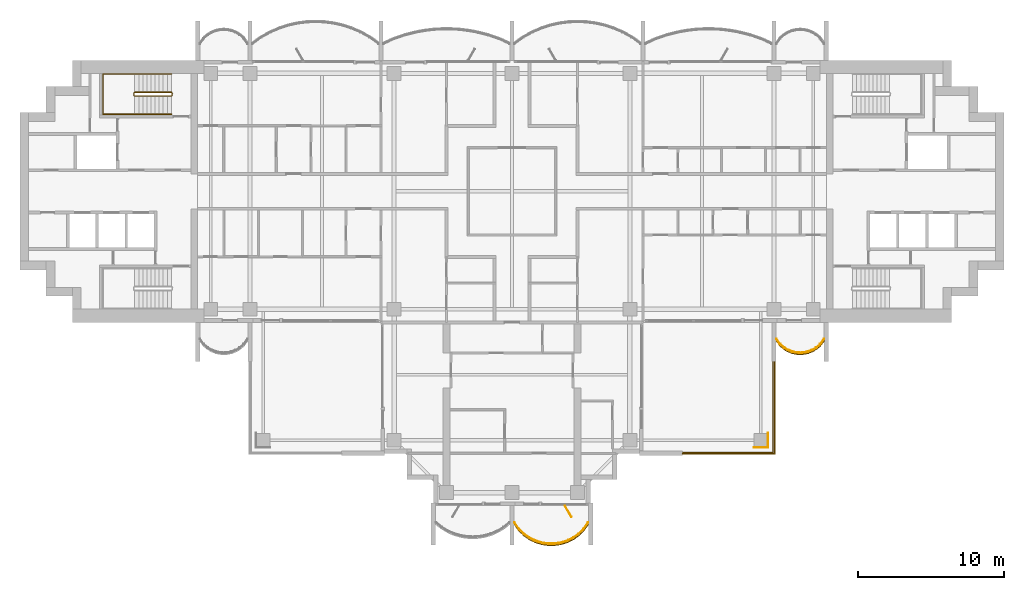
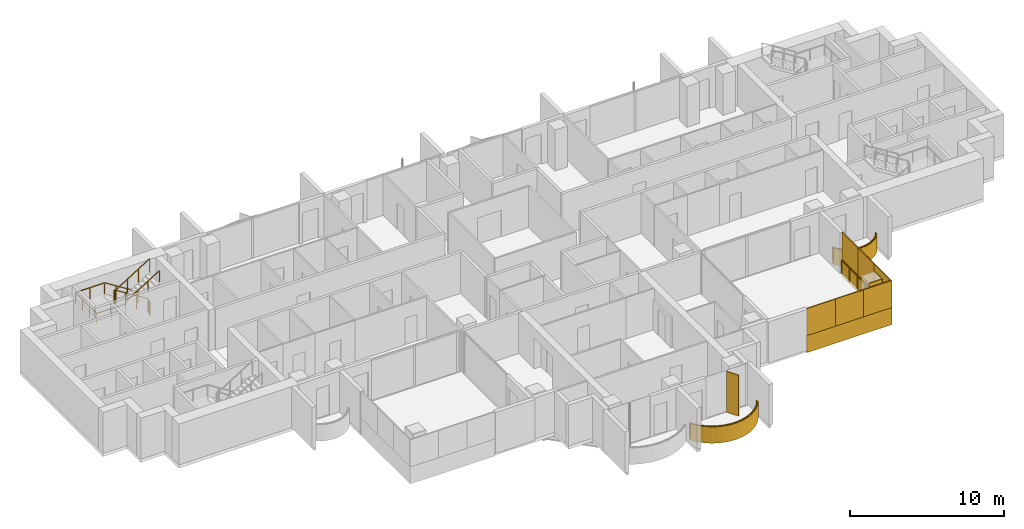
# One storey, part 15 of 17: 11 coverings, 5 railings, 1 shading device.
"""IFC4 building model written with IfcOpenShell, lengths in metres."""

import ifcopenshell
import ifcopenshell.guid

model = None  # the IFC model being written
_history = None  # IfcOwnerHistory: only IFC2X3 demands one
_inside = {}  # id of a spatial element -> (the spatial element, [elements in it])
_under = {}  # id of a project, library or spatial element -> (it, [spatial elements below it])
_declared = {}  # id of a project -> (the project, [libraries it declares])
_typed = {}  # id of a type object -> (the type object, [elements of that type])
_made_of = {}  # id of a material, layer set ... -> (it, [elements and type objects made of it])


def new_model(schema):
    """Start an empty IFC model of exactly this schema.

    Asked for "IFC4X3", IfcOpenShell would pick the latest addendum, in which some entities
    have other attributes; the version numbers below select the first issue.
    IFC2X3 requires an IfcOwnerHistory on every rooted entity: one is made here for all.
    """
    global model, _history
    if schema == "IFC4X3":
        model = ifcopenshell.file(schema_version=(4, 3, 0, 0))
    else:
        model = ifcopenshell.file(schema=schema)
    _inside.clear()
    _under.clear()
    _declared.clear()
    _typed.clear()
    _made_of.clear()
    _history = None
    if model.schema == "IFC2X3":
        org = make("IfcOrganization", Name="unknown")
        user = make(
            "IfcPersonAndOrganization",
            ThePerson=make("IfcPerson", FamilyName="unknown"),
            TheOrganization=org,
        )
        app = make(
            "IfcApplication",
            ApplicationDeveloper=org,
            Version="unknown",
            ApplicationFullName="unknown",
            ApplicationIdentifier="unknown",
        )
        _history = make(
            "IfcOwnerHistory",
            OwningUser=user,
            OwningApplication=app,
            ChangeAction="ADDED",
            CreationDate=0,
        )
    return model


def make(cls, **values):
    """One entity of the class cls with the attributes given. An attribute that is None is left unset."""
    return model.create_entity(
        cls, **{name: value for name, value in values.items() if value is not None}
    )


def rooted(cls, **values):
    """An entity with a GlobalId (a new one), such as an element, a storey or a relation."""
    return make(cls, GlobalId=ifcopenshell.guid.new(), OwnerHistory=_history, **values)


def si_unit(unit_type, name, prefix=None):
    """IfcSIUnit, for example si_unit("LENGTHUNIT", "METRE", prefix="MILLI")."""
    return make("IfcSIUnit", UnitType=unit_type, Prefix=prefix, Name=name)


def assignment(units):
    """IfcUnitAssignment: the units of a project."""
    return None if units is None else make("IfcUnitAssignment", Units=units)


def point(xyz):
    """IfcCartesianPoint."""
    return None if xyz is None else make("IfcCartesianPoint", Coordinates=xyz)


def direction(xyz):
    """IfcDirection."""
    return None if xyz is None else make("IfcDirection", DirectionRatios=xyz)


def frame(location, z_axis=None, x_axis=None):
    """IfcAxis2Placement3D, a coordinate frame: its origin and axes. An axis left out is left unset."""
    return make(
        "IfcAxis2Placement3D",
        Location=point(location),
        Axis=direction(z_axis),
        RefDirection=direction(x_axis),
    )


def frame_2d(location, x_axis=None):
    """IfcAxis2Placement2D, a coordinate frame in the plane: its origin and x axis."""
    return make(
        "IfcAxis2Placement2D", Location=point(location), RefDirection=direction(x_axis)
    )


def origin():
    """The frame at (0, 0, 0) with its axes left unset."""
    return frame((0.0, 0.0, 0.0))


def origin_2d():
    """The frame at (0, 0) in the plane with its x axis left unset."""
    return frame_2d((0.0, 0.0))


def place(relative_to, where):
    """IfcLocalPlacement: puts the frame where relative to a parent placement (None: the world)."""
    return make(
        "IfcLocalPlacement", PlacementRelTo=relative_to, RelativePlacement=where
    )


def context(
    kind, dimensions, precision=None, world=None, true_north=None, identifier=None
):
    """IfcGeometricRepresentationContext, for example the 3D "Model" context."""
    return make(
        "IfcGeometricRepresentationContext",
        ContextIdentifier=identifier,
        ContextType=kind,
        CoordinateSpaceDimension=dimensions,
        Precision=precision,
        WorldCoordinateSystem=world,
        TrueNorth=true_north,
    )


def subcontext(parent, identifier, kind, view, scale=None):
    """IfcGeometricRepresentationSubContext, for example "Body" below "Model"."""
    return make(
        "IfcGeometricRepresentationSubContext",
        ContextIdentifier=identifier,
        ContextType=kind,
        ParentContext=parent,
        TargetScale=scale,
        TargetView=view,
    )


def project(units=None, contexts=None):
    """IfcProject with its units and contexts."""
    return rooted(
        "IfcProject",
        Name="project",
        RepresentationContexts=contexts,
        UnitsInContext=assignment(units),
    )


def spatial(cls, under=None, at=None, **own):
    """A site, building, storey or space (cls), placed at a placement, below another one or the project."""
    s = rooted(cls, ObjectPlacement=at, **own)
    if under is not None:
        _under.setdefault(under.id(), (under, []))[1].append(s)
    return s


def polyline(points):
    """IfcPolyline through the points."""
    return make("IfcPolyline", Points=[point(p) for p in points])


def profile(cls, at=None, kind="AREA", **sizes):
    """A parametric profile (cls). Its sizes go by their IFC names, for example OverallWidth=200.0."""
    return make(cls, ProfileType=kind, Position=at, **sizes)


def rectangle(**sizes):
    """IfcRectangleProfileDef."""
    return profile("IfcRectangleProfileDef", **sizes)


def outline(outer, holes=None, kind="AREA"):
    """IfcArbitraryClosedProfileDef: a profile drawn as a closed curve; with holes, ...WithVoids."""
    if holes is None:
        return make("IfcArbitraryClosedProfileDef", ProfileType=kind, OuterCurve=outer)
    return make(
        "IfcArbitraryProfileDefWithVoids",
        ProfileType=kind,
        OuterCurve=outer,
        InnerCurves=holes,
    )


def extrude(swept, where, along, depth):
    """IfcExtrudedAreaSolid: the profile swept, set in the frame where, extruded along a direction by depth."""
    return make(
        "IfcExtrudedAreaSolid",
        SweptArea=swept,
        Position=where,
        ExtrudedDirection=direction(along),
        Depth=depth,
    )


def shape(context_of_items, identifier, shape_type, items):
    """IfcShapeRepresentation: the items that make up one representation, for example the "Body"."""
    return make(
        "IfcShapeRepresentation",
        ContextOfItems=context_of_items,
        RepresentationIdentifier=identifier,
        RepresentationType=shape_type,
        Items=items,
    )


def material(Name=None, Category=None):
    """IfcMaterial."""
    return make("IfcMaterial", Name=Name, Category=Category)


def layer(
    of_material, thickness, ventilated=None, Name=None, Category=None, Priority=None
):
    """IfcMaterialLayer: one layer of a wall or slab, of a material (None: an air gap)."""
    return make(
        "IfcMaterialLayer",
        Material=of_material,
        LayerThickness=thickness,
        IsVentilated=ventilated,
        Name=Name,
        Category=Category,
        Priority=Priority,
    )


def layer_set(layers, Name=None):
    """IfcMaterialLayerSet."""
    return make("IfcMaterialLayerSet", MaterialLayers=layers, LayerSetName=Name)


def made_of(thing, what):
    """Note that an element or type object is made of a material, layer set ...; save() writes the relation."""
    if what is not None:
        _made_of.setdefault(what.id(), (what, []))[1].append(thing)
    return thing


def type_object(cls, material=None, **own):
    """A type object (cls), such as IfcWallType, which elements share."""
    return made_of(rooted(cls, **own), material)


def element(
    cls,
    number,
    at=None,
    inside=None,
    cuts=None,
    type_object=None,
    material=None,
    context=None,
    identifier="Body",
    shape_type=None,
    held_by="IfcProductDefinitionShape",
    body=None,
    shapes=None,
    **own,
):
    """One element of the class cls, such as IfcWall. Its Tag is "e" and its number.

    at: its placement. inside: the storey or other place that contains it. cuts: it is an
    opening in that element (IfcRelVoidsElement). A single representation is given by context,
    identifier, shape_type and body (its items); several are given by shapes. held_by: the class
    of the entity that holds the representations. save() writes the other relations.
    """
    e = rooted(cls, Tag="e%d" % number, ObjectPlacement=at, **own)
    if body is not None:
        shapes = [shape(context, identifier, shape_type, body)]
    if shapes is not None:
        e.Representation = make(held_by, Representations=shapes)
    if inside is not None:
        _inside.setdefault(inside.id(), (inside, []))[1].append(e)
    if cuts is not None:
        rooted(
            "IfcRelVoidsElement", RelatingBuildingElement=cuts, RelatedOpeningElement=e
        )
    if type_object is not None:
        _typed.setdefault(type_object.id(), (type_object, []))[1].append(e)
    return made_of(e, material)


def aggregate(whole, parts):
    """IfcRelAggregates: a whole, such as a stair, and the parts it consists of."""
    return rooted("IfcRelAggregates", RelatingObject=whole, RelatedObjects=parts)


def save(model, path):
    """Write the relations noted so far, then the file.

    IfcRelAggregates (storeys below a building ...), IfcRelContainedInSpatialStructure (elements
    in a storey), IfcRelDefinesByType, IfcRelAssociatesMaterial and IfcRelDeclares: one each for
    every whole, place, type object, material and project.
    """
    for whole, parts in _under.values():
        aggregate(whole, parts)
    for where, things in _inside.values():
        rooted(
            "IfcRelContainedInSpatialStructure",
            RelatedElements=things,
            RelatingStructure=where,
        )
    for kind, things in _typed.values():
        rooted("IfcRelDefinesByType", RelatedObjects=things, RelatingType=kind)
    for what, things in _made_of.values():
        rooted("IfcRelAssociatesMaterial", RelatedObjects=things, RelatingMaterial=what)
    for by, libraries in _declared.values():
        rooted("IfcRelDeclares", RelatingContext=by, RelatedDefinitions=libraries)
    model.write(path)


model = new_model("IFC4")

# Units and contexts
model_context = context("Model", 3, precision=1e-05, world=origin(), true_north=direction((0.0, 1.0)))
body_context = subcontext(model_context, "Body", "Model", "MODEL_VIEW")
ifc_project = project(units=[si_unit("LENGTHUNIT", "METRE"), si_unit("AREAUNIT", "SQUARE_METRE"), si_unit("VOLUMEUNIT", "CUBIC_METRE"), si_unit("PLANEANGLEUNIT", "RADIAN"), si_unit("MASSUNIT", "GRAM", prefix="KILO")], contexts=[model_context])

# Site, building, storey
site_placement = place(None, origin())
site = spatial("IfcSite", under=ifc_project, at=site_placement, CompositionType="ELEMENT")
building_placement = place(site_placement, origin())
building = spatial("IfcBuilding", under=site, at=building_placement, Name="Perihelion Cross Residences", CompositionType="ELEMENT")
storey_placement = place(building_placement, frame((0.0, 0.0, 194.60009765625)))
storey = spatial("IfcBuildingStorey", under=building, at=storey_placement, Name="L48", CompositionType="ELEMENT", Elevation=194.60009765625)

# Coverings
ifc_material_1 = material(Name="Bronze anodised aluminium", Category="aluminium")
ifc_layer_1 = layer(ifc_material_1, 0.070068359375)
ifc_layer_set_1 = layer_set([ifc_layer_1], Name="Balcony fascia 1300")
covering_type_1 = type_object("IfcCoveringType", Name="Balcony fascia 1300", PredefinedType="CLADDING", material=ifc_layer_set_1)
covering_1_placement = place(storey_placement, frame((0.0, 0.0, -0.2001953125)))
element("IfcCovering", 1, at=covering_1_placement, inside=storey, type_object=covering_type_1, Name="Fascia BF1 L48 south tip south bay 2", PredefinedType="CLADDING", context=body_context, shape_type="SweptSolid", body=[
    extrude(outline(polyline([(0.43701171875, -23.322509765625), (0.78515625, -23.66064453125), (1.13330078125, -23.90869140625), (1.4814453125, -24.091064453125), (1.82958984375, -24.22021484375), (2.177734375, -24.30322265625), (2.52587890625, -24.343994140625), (2.8740234375, -24.343994140625), (3.22216796875, -24.30322265625), (3.5703125, -24.22021484375), (3.91845703125, -24.091064453125), (4.2666015625, -23.90869140625), (4.61474609375, -23.66064453125), (4.963134765625, -23.322509765625), (5.25, -22.92041015625), (5.25, -22.800048828125), (4.909912109375, -23.27685546875), (4.570068359375, -23.60693359375), (4.22998046875, -23.84912109375), (3.889892578125, -24.027099609375), (3.550048828125, -24.1533203125), (3.2099609375, -24.234375), (2.8701171875, -24.274169921875), (2.530029296875, -24.274169921875), (2.18994140625, -24.234375), (1.85009765625, -24.1533203125), (1.510009765625, -24.027099609375), (1.169921875, -23.84912109375), (0.830078125, -23.60693359375), (0.489990234375, -23.27685546875), (0.14990234375, -22.800048828125), (0.14990234375, -22.92041015625), (0.43701171875, -23.322509765625)])), origin(), (0.0, 0.0, 1.0), 1.300048828125),
])
covering_2_placement = place(storey_placement, frame((0.0, 0.0, -0.2001953125)))
element("IfcCovering", 2, at=covering_2_placement, inside=storey, type_object=covering_type_1, Name="Fascia BF1 L48 east side south bay 2", PredefinedType="CLADDING", context=body_context, shape_type="SweptSolid", body=[
    extrude(outline(polyline([(18.373779296875, -10.616455078125), (18.6591796875, -10.86328125), (18.9443359375, -11.031494140625), (19.229736328125, -11.142578125), (19.514892578125, -11.206298828125), (19.800048828125, -11.22705078125), (20.085205078125, -11.206298828125), (20.370361328125, -11.142578125), (20.655517578125, -11.031494140625), (20.94091796875, -10.86328125), (21.226318359375, -10.616455078125), (21.449951171875, -10.31689453125), (21.449951171875, -10.199951171875), (21.175048828125, -10.568603515625), (20.89990234375, -10.806396484375), (20.625, -10.96875), (20.35009765625, -11.07568359375), (20.074951171875, -11.136962890625), (19.800048828125, -11.156982421875), (19.52490234375, -11.136962890625), (19.25, -11.07568359375), (18.97509765625, -10.96875), (18.699951171875, -10.806396484375), (18.425048828125, -10.568603515625), (18.14990234375, -10.199951171875), (18.14990234375, -10.31689453125), (18.373779296875, -10.616455078125)])), origin(), (0.0, 0.0, 1.0), 1.300048828125),
])

# Railings
ifc_material_2 = material(Name="Bronze anodised aluminium", Category="aluminium")
railing_type_1 = type_object("IfcRailingType", Name="Balcony guard 1100", PredefinedType="GUARDRAIL", material=ifc_material_2)
railing_1_placement = place(storey_placement, frame((0.175048828125, -22.739990234375, 0.0)))
element("IfcRailing", 3, at=railing_1_placement, inside=storey, type_object=railing_type_1, Name="Guard GU1 L48 south tip south bay 2 balcony", PredefinedType="GUARDRAIL", context=body_context, shape_type="SweptSolid", body=[
    extrude(rectangle(XDim=0.048095703125, YDim=0.048095703125, at=origin_2d()), frame((0.0, 0.0, 1.076171875), z_axis=(0.551145731138, -0.834409002258, 0.0), x_axis=(0.834409002258, 0.551145731138, 0.0)), (0.0, 0.0, 1.0), 0.571533203125),
    extrude(rectangle(XDim=0.048095703125, YDim=0.048095703125, at=origin_2d()), frame((0.31494140625, -0.476806640625, 1.076171875), z_axis=(0.717588263781, -0.696467575472, 0.0), x_axis=(0.696467575472, 0.717588263781, 0.0)), (0.0, 0.0, 1.0), 0.473876953125),
    extrude(rectangle(XDim=0.048095703125, YDim=0.048095703125, at=origin_2d()), frame((0.655029296875, -0.806884765625, 1.076171875), z_axis=(0.814365457194, -0.580352394782, 0.0), x_axis=(0.580352394782, 0.814365457194, 0.0)), (0.0, 0.0, 1.0), 0.417236328125),
    extrude(rectangle(XDim=0.048095703125, YDim=0.048095703125, at=origin_2d()), frame((0.994873046875, -1.049072265625, 1.076171875), z_axis=(0.885744400902, -0.464173304134, 0.0), x_axis=(0.464173304134, 0.885744400902, 0.0)), (0.0, 0.0, 1.0), 0.384033203125),
    extrude(rectangle(XDim=0.048095703125, YDim=0.048095703125, at=origin_2d()), frame((1.3349609375, -1.227294921875, 1.076171875), z_axis=(0.937732519052, -0.347358205191, 0.0), x_axis=(0.347358205191, 0.937732519052, 0.0)), (0.0, 0.0, 1.0), 0.362548828125),
    extrude(rectangle(XDim=0.048095703125, YDim=0.048095703125, at=origin_2d()), frame((1.675048828125, -1.353271484375, 1.076171875), z_axis=(0.972716168284, -0.231998396458, 0.0), x_axis=(0.231998396458, 0.972716168284, 0.0)), (0.0, 0.0, 1.0), 0.349365234375),
    extrude(rectangle(XDim=0.048095703125, YDim=0.048095703125, at=origin_2d()), frame((2.014892578125, -1.434326171875, 1.076171875), z_axis=(0.993223414934, -0.116220686744, 0.0), x_axis=(0.116220686744, 0.993223414934, 0.0)), (0.0, 0.0, 1.0), 0.342529296875),
    extrude(rectangle(XDim=0.048095703125, YDim=0.048095703125, at=origin_2d()), frame((2.35498046875, -1.47412109375, 1.076171875), z_axis=(1.0, 0.0, 0.0), x_axis=(0.0, 1.0, 0.0)), (0.0, 0.0, 1.0), 0.340087890625),
    extrude(rectangle(XDim=0.048095703125, YDim=0.048095703125, at=origin_2d()), frame((2.695068359375, -1.47412109375, 1.076171875), z_axis=(0.993213773886, 0.116303049672, 0.0), x_axis=(-0.116303049672, 0.993213773886, 0.0)), (0.0, 0.0, 1.0), 0.34228515625),
    extrude(rectangle(XDim=0.048095703125, YDim=0.048095703125, at=origin_2d()), frame((3.034912109375, -1.434326171875, 1.076171875), z_axis=(0.972753741142, 0.231840805498, 0.0), x_axis=(-0.231840805498, 0.972753741142, 0.0)), (0.0, 0.0, 1.0), 0.349609375),
    extrude(rectangle(XDim=0.048095703125, YDim=0.048095703125, at=origin_2d()), frame((3.375, -1.353271484375, 1.076171875), z_axis=(0.937651218339, 0.347577606798, 0.0), x_axis=(-0.347577606798, 0.937651218339, 0.0)), (0.0, 0.0, 1.0), 0.362548828125),
    extrude(rectangle(XDim=0.048095703125, YDim=0.048095703125, at=origin_2d()), frame((3.71484375, -1.227294921875, 1.076171875), z_axis=(0.885744400902, 0.464173304134, 0.0), x_axis=(-0.464173304134, 0.885744400902, 0.0)), (0.0, 0.0, 1.0), 0.384033203125),
    extrude(rectangle(XDim=0.048095703125, YDim=0.048095703125, at=origin_2d()), frame((4.054931640625, -1.049072265625, 1.076171875), z_axis=(0.814562360662, 0.580075995532, 0.0), x_axis=(-0.580075995532, 0.814562360662, 0.0)), (0.0, 0.0, 1.0), 0.41748046875),
    extrude(rectangle(XDim=0.048095703125, YDim=0.048095703125, at=origin_2d()), frame((4.39501953125, -0.806884765625, 1.076171875), z_axis=(0.71733824833, 0.696725080274, 0.0), x_axis=(-0.696725080274, 0.71733824833, 0.0)), (0.0, 0.0, 1.0), 0.473876953125),
    extrude(rectangle(XDim=0.048095703125, YDim=0.048095703125, at=origin_2d()), frame((4.73486328125, -0.476806640625, 1.076171875), z_axis=(0.55144309028, 0.834212513801, 0.0), x_axis=(-0.834212513801, 0.55144309028, 0.0)), (0.0, 0.0, 1.0), 0.571533203125),
    extrude(rectangle(XDim=0.0419921875, YDim=0.0419921875, at=origin_2d()), origin(), (0.0, 0.0, 1.0), 1.052001953125),
    extrude(rectangle(XDim=0.0419921875, YDim=0.0419921875, at=origin_2d()), frame((0.31494140625, -0.476806640625, 0.0)), (0.0, 0.0, 1.0), 1.052001953125),
    extrude(rectangle(XDim=0.0419921875, YDim=0.0419921875, at=origin_2d()), frame((0.655029296875, -0.806884765625, 0.0)), (0.0, 0.0, 1.0), 1.052001953125),
    extrude(rectangle(XDim=0.0419921875, YDim=0.0419921875, at=origin_2d()), frame((0.994873046875, -1.049072265625, 0.0)), (0.0, 0.0, 1.0), 1.052001953125),
    extrude(rectangle(XDim=0.0419921875, YDim=0.0419921875, at=origin_2d()), frame((1.3349609375, -1.227294921875, 0.0)), (0.0, 0.0, 1.0), 1.052001953125),
    extrude(rectangle(XDim=0.0419921875, YDim=0.0419921875, at=origin_2d()), frame((1.675048828125, -1.353271484375, 0.0)), (0.0, 0.0, 1.0), 1.052001953125),
    extrude(rectangle(XDim=0.0419921875, YDim=0.0419921875, at=origin_2d()), frame((2.014892578125, -1.434326171875, 0.0)), (0.0, 0.0, 1.0), 1.052001953125),
    extrude(rectangle(XDim=0.0419921875, YDim=0.0419921875, at=origin_2d()), frame((2.35498046875, -1.47412109375, 0.0)), (0.0, 0.0, 1.0), 1.052001953125),
    extrude(rectangle(XDim=0.0419921875, YDim=0.0419921875, at=origin_2d()), frame((2.695068359375, -1.47412109375, 0.0)), (0.0, 0.0, 1.0), 1.052001953125),
    extrude(rectangle(XDim=0.0419921875, YDim=0.0419921875, at=origin_2d()), frame((3.034912109375, -1.434326171875, 0.0)), (0.0, 0.0, 1.0), 1.052001953125),
    extrude(rectangle(XDim=0.0419921875, YDim=0.0419921875, at=origin_2d()), frame((3.375, -1.353271484375, 0.0)), (0.0, 0.0, 1.0), 1.052001953125),
    extrude(rectangle(XDim=0.0419921875, YDim=0.0419921875, at=origin_2d()), frame((3.71484375, -1.227294921875, 0.0)), (0.0, 0.0, 1.0), 1.052001953125),
    extrude(rectangle(XDim=0.0419921875, YDim=0.0419921875, at=origin_2d()), frame((4.054931640625, -1.049072265625, 0.0)), (0.0, 0.0, 1.0), 1.052001953125),
    extrude(rectangle(XDim=0.0419921875, YDim=0.0419921875, at=origin_2d()), frame((4.39501953125, -0.806884765625, 0.0)), (0.0, 0.0, 1.0), 1.052001953125),
    extrude(rectangle(XDim=0.0419921875, YDim=0.0419921875, at=origin_2d()), frame((4.73486328125, -0.476806640625, 0.0)), (0.0, 0.0, 1.0), 1.052001953125),
    extrude(rectangle(XDim=0.0419921875, YDim=0.0419921875, at=origin_2d()), frame((5.050048828125, 0.0, 0.0)), (0.0, 0.0, 1.0), 1.052001953125),
])
railing_2_placement = place(storey_placement, frame((18.175048828125, -10.139892578125, 0.0)))
element("IfcRailing", 4, at=railing_2_placement, inside=storey, type_object=railing_type_1, Name="Guard GU1 L48 east side south bay 2 balcony", PredefinedType="GUARDRAIL", context=body_context, shape_type="SweptSolid", body=[
    extrude(rectangle(XDim=0.048095703125, YDim=0.048095703125, at=origin_2d()), frame((0.0, 0.0, 1.076171875), z_axis=(0.561260132269, -0.827639452857, 0.0), x_axis=(0.827639452857, 0.561260132269, 0.0)), (0.0, 0.0, 1.0), 0.4453125),
    extrude(rectangle(XDim=0.048095703125, YDim=0.048095703125, at=origin_2d()), frame((0.25, -0.36865234375, 1.076171875), z_axis=(0.756309278473, -0.654214242658, 0.0), x_axis=(0.654214242658, 0.756309278473, 0.0)), (0.0, 0.0, 1.0), 0.363525390625),
    extrude(rectangle(XDim=0.048095703125, YDim=0.048095703125, at=origin_2d()), frame((0.52490234375, -0.6064453125, 1.076171875), z_axis=(0.861245845072, -0.508188542123, 0.0), x_axis=(0.508188542123, 0.861245845072, 0.0)), (0.0, 0.0, 1.0), 0.319580078125),
    extrude(rectangle(XDim=0.048095703125, YDim=0.048095703125, at=origin_2d()), frame((0.800048828125, -0.768798828125, 1.076171875), z_axis=(0.931973602183, -0.362526143656, 0.0), x_axis=(0.362526143656, 0.931973602183, 0.0)), (0.0, 0.0, 1.0), 0.294921875),
    extrude(rectangle(XDim=0.048095703125, YDim=0.048095703125, at=origin_2d()), frame((1.074951171875, -0.875732421875, 1.076171875), z_axis=(0.976044077717, -0.217572880557, 0.0), x_axis=(0.217572880557, 0.976044077717, 0.0)), (0.0, 0.0, 1.0), 0.28173828125),
    extrude(rectangle(XDim=0.048095703125, YDim=0.048095703125, at=origin_2d()), frame((1.349853515625, -0.93701171875, 1.076171875), z_axis=(0.997363488337, -0.072567707226, 0.0), x_axis=(0.072567707226, 0.997363488337, 0.0)), (0.0, 0.0, 1.0), 0.27587890625),
    extrude(rectangle(XDim=0.048095703125, YDim=0.048095703125, at=origin_2d()), frame((1.625, -0.95703125, 1.076171875), z_axis=(0.997358821833, 0.072631814734, 0.0), x_axis=(-0.072631814734, 0.997358821833, 0.0)), (0.0, 0.0, 1.0), 0.275634765625),
    extrude(rectangle(XDim=0.048095703125, YDim=0.048095703125, at=origin_2d()), frame((1.89990234375, -0.93701171875, 1.076171875), z_axis=(0.976085059389, 0.21738895289, 0.0), x_axis=(-0.21738895289, 0.976085059389, 0.0)), (0.0, 0.0, 1.0), 0.281982421875),
    extrude(rectangle(XDim=0.048095703125, YDim=0.048095703125, at=origin_2d()), frame((2.175048828125, -0.875732421875, 1.076171875), z_axis=(0.931973602183, 0.362526143656, 0.0), x_axis=(-0.362526143656, 0.931973602183, 0.0)), (0.0, 0.0, 1.0), 0.294921875),
    extrude(rectangle(XDim=0.048095703125, YDim=0.048095703125, at=origin_2d()), frame((2.449951171875, -0.768798828125, 1.076171875), z_axis=(0.861048292884, 0.508523192511, 0.0), x_axis=(-0.508523192511, 0.861048292884, 0.0)), (0.0, 0.0, 1.0), 0.3193359375),
    extrude(rectangle(XDim=0.048095703125, YDim=0.048095703125, at=origin_2d()), frame((2.724853515625, -0.6064453125, 1.076171875), z_axis=(0.756596535164, 0.653882009982, 0.0), x_axis=(-0.653882009982, 0.756596535164, 0.0)), (0.0, 0.0, 1.0), 0.36376953125),
    extrude(rectangle(XDim=0.048095703125, YDim=0.048095703125, at=origin_2d()), frame((3.0, -0.36865234375, 1.076171875), z_axis=(0.561260132269, 0.827639452857, 0.0), x_axis=(-0.827639452857, 0.561260132269, 0.0)), (0.0, 0.0, 1.0), 0.4453125),
    extrude(rectangle(XDim=0.0419921875, YDim=0.0419921875, at=origin_2d()), origin(), (0.0, 0.0, 1.0), 1.052001953125),
    extrude(rectangle(XDim=0.0419921875, YDim=0.0419921875, at=origin_2d()), frame((0.25, -0.36865234375, 0.0)), (0.0, 0.0, 1.0), 1.052001953125),
    extrude(rectangle(XDim=0.0419921875, YDim=0.0419921875, at=origin_2d()), frame((0.52490234375, -0.6064453125, 0.0)), (0.0, 0.0, 1.0), 1.052001953125),
    extrude(rectangle(XDim=0.0419921875, YDim=0.0419921875, at=origin_2d()), frame((0.800048828125, -0.768798828125, 0.0)), (0.0, 0.0, 1.0), 1.052001953125),
    extrude(rectangle(XDim=0.0419921875, YDim=0.0419921875, at=origin_2d()), frame((1.074951171875, -0.875732421875, 0.0)), (0.0, 0.0, 1.0), 1.052001953125),
    extrude(rectangle(XDim=0.0419921875, YDim=0.0419921875, at=origin_2d()), frame((1.349853515625, -0.93701171875, 0.0)), (0.0, 0.0, 1.0), 1.052001953125),
    extrude(rectangle(XDim=0.0419921875, YDim=0.0419921875, at=origin_2d()), frame((1.625, -0.95703125, 0.0)), (0.0, 0.0, 1.0), 1.052001953125),
    extrude(rectangle(XDim=0.0419921875, YDim=0.0419921875, at=origin_2d()), frame((1.89990234375, -0.93701171875, 0.0)), (0.0, 0.0, 1.0), 1.052001953125),
    extrude(rectangle(XDim=0.0419921875, YDim=0.0419921875, at=origin_2d()), frame((2.175048828125, -0.875732421875, 0.0)), (0.0, 0.0, 1.0), 1.052001953125),
    extrude(rectangle(XDim=0.0419921875, YDim=0.0419921875, at=origin_2d()), frame((2.449951171875, -0.768798828125, 0.0)), (0.0, 0.0, 1.0), 1.052001953125),
    extrude(rectangle(XDim=0.0419921875, YDim=0.0419921875, at=origin_2d()), frame((2.724853515625, -0.6064453125, 0.0)), (0.0, 0.0, 1.0), 1.052001953125),
    extrude(rectangle(XDim=0.0419921875, YDim=0.0419921875, at=origin_2d()), frame((3.0, -0.36865234375, 0.0)), (0.0, 0.0, 1.0), 1.052001953125),
    extrude(rectangle(XDim=0.0419921875, YDim=0.0419921875, at=origin_2d()), frame((3.25, 0.0, 0.0)), (0.0, 0.0, 1.0), 1.052001953125),
])
railing_3_placement = place(storey_placement, frame((17.93994140625, -11.739990234375, 0.0)))
element("IfcRailing", 5, at=railing_3_placement, inside=storey, type_object=railing_type_1, Name="Guard GU1 L48 pocket south-east 1", PredefinedType="GUARDRAIL", context=body_context, shape_type="SweptSolid", body=[
    extrude(rectangle(XDim=0.048095703125, YDim=0.048095703125, at=origin_2d()), frame((0.0, 0.0, 1.076171875), z_axis=(0.0, -1.0, 0.0), x_axis=(1.0, 0.0, 0.0)), (0.0, 0.0, 1.0), 6.199951171875),
    extrude(rectangle(XDim=0.048095703125, YDim=0.048095703125, at=origin_2d()), frame((0.0, -6.199951171875, 1.076171875), z_axis=(-1.0, 0.0, 0.0), x_axis=(0.0, -1.0, 0.0)), (0.0, 0.0, 1.0), 6.199951171875),
    extrude(rectangle(XDim=0.0419921875, YDim=0.0419921875, at=origin_2d()), origin(), (0.0, 0.0, 1.0), 1.052001953125),
    extrude(rectangle(XDim=0.0419921875, YDim=0.0419921875, at=origin_2d()), frame((0.0, -1.033203125, 0.0)), (0.0, 0.0, 1.0), 1.052001953125),
    extrude(rectangle(XDim=0.0419921875, YDim=0.0419921875, at=origin_2d()), frame((0.0, -2.066650390625, 0.0)), (0.0, 0.0, 1.0), 1.052001953125),
    extrude(rectangle(XDim=0.0419921875, YDim=0.0419921875, at=origin_2d()), frame((0.0, -3.10009765625, 0.0)), (0.0, 0.0, 1.0), 1.052001953125),
    extrude(rectangle(XDim=0.0419921875, YDim=0.0419921875, at=origin_2d()), frame((0.0, -4.13330078125, 0.0)), (0.0, 0.0, 1.0), 1.052001953125),
    extrude(rectangle(XDim=0.0419921875, YDim=0.0419921875, at=origin_2d()), frame((0.0, -5.16650390625, 0.0)), (0.0, 0.0, 1.0), 1.052001953125),
    extrude(rectangle(XDim=0.0419921875, YDim=0.0419921875, at=origin_2d()), frame((0.0, -6.199951171875, 0.0)), (0.0, 0.0, 1.0), 1.052001953125),
    extrude(rectangle(XDim=0.0419921875, YDim=0.0419921875, at=origin_2d()), frame((-1.033203125, -6.199951171875, 0.0)), (0.0, 0.0, 1.0), 1.052001953125),
    extrude(rectangle(XDim=0.0419921875, YDim=0.0419921875, at=origin_2d()), frame((-2.066650390625, -6.199951171875, 0.0)), (0.0, 0.0, 1.0), 1.052001953125),
    extrude(rectangle(XDim=0.0419921875, YDim=0.0419921875, at=origin_2d()), frame((-3.10009765625, -6.199951171875, 0.0)), (0.0, 0.0, 1.0), 1.052001953125),
    extrude(rectangle(XDim=0.0419921875, YDim=0.0419921875, at=origin_2d()), frame((-4.13330078125, -6.199951171875, 0.0)), (0.0, 0.0, 1.0), 1.052001953125),
    extrude(rectangle(XDim=0.0419921875, YDim=0.0419921875, at=origin_2d()), frame((-5.16650390625, -6.199951171875, 0.0)), (0.0, 0.0, 1.0), 1.052001953125),
    extrude(rectangle(XDim=0.0419921875, YDim=0.0419921875, at=origin_2d()), frame((-6.199951171875, -6.199951171875, 0.0)), (0.0, 0.0, 1.0), 1.052001953125),
])

# Coverings
ifc_material_3 = material(Name="Bronze anodised aluminium", Category="aluminium")
ifc_layer_2 = layer(ifc_material_3, 0.0400390625)
ifc_layer_set_2 = layer_set([ifc_layer_2], Name="Bronze column casing 40")
covering_type_2 = type_object("IfcCoveringType", Name="Bronze column casing 40", PredefinedType="CLADDING", material=ifc_layer_set_2)
covering_3_placement = place(storey_placement, frame((17.594970703125, -17.10009765625, -0.25), z_axis=(0.0, 0.0, 1.0), x_axis=(1.0, 0.0, 0.0)))
element("IfcCovering", 6, at=covering_3_placement, inside=storey, type_object=covering_type_2, Name="Cladding CC1 L48 casing east-west no. 2", PredefinedType="CLADDING", context=body_context, shape_type="SweptSolid", body=[
    extrude(rectangle(XDim=0.0400390625, YDim=1.030029296875, at=origin_2d()), origin(), (0.0, 0.0, 1.0), 3.5),
])
covering_4_placement = place(storey_placement, frame((17.10009765625, -17.594970703125, -0.25), z_axis=(0.0, 0.0, 1.0), x_axis=(1.0, 0.0, 0.0)))
element("IfcCovering", 7, at=covering_4_placement, inside=storey, type_object=covering_type_2, Name="Cladding CC1 L48 casing north-south no. 2", PredefinedType="CLADDING", context=body_context, shape_type="SweptSolid", body=[
    extrude(rectangle(XDim=0.949951171875, YDim=0.0400390625, at=origin_2d()), origin(), (0.0, 0.0, 1.0), 3.5),
])

# Shading device
ifc_material_4 = material(Name="Bronze anodised aluminium", Category="aluminium")
ifc_layer_3 = layer(ifc_material_4, 0.050048828125)
ifc_layer_set_3 = layer_set([ifc_layer_3], Name="Bronze fin 900")
shading_device_type = type_object("IfcShadingDeviceType", Name="Bronze fin 900", PredefinedType="USERDEFINED", material=ifc_layer_set_3)
shading_device_placement = place(storey_placement, frame((3.862548828125, -21.98974609375, 0.0), z_axis=(0.0, 0.0, 1.0), x_axis=(0.5, -0.866025403784, 0.0)))
element("IfcShadingDevice", 8, at=shading_device_placement, inside=storey, type_object=shading_device_type, Name="Fin FN1 L48 south tip south bay 2", ObjectType="FIN", PredefinedType="USERDEFINED", context=body_context, shape_type="SweptSolid", body=[
    extrude(rectangle(XDim=0.89990234375, YDim=0.050048828125, at=origin_2d()), origin(), (0.0, 0.0, 1.0), 3.25),
])

# Coverings
ifc_material_5 = material(Name="Bronze anodised aluminium", Category="aluminium")
ifc_layer_4 = layer(ifc_material_5, 0.070068359375)
ifc_layer_set_4 = layer_set([ifc_layer_4], Name="Pocket fascia 1350")
covering_type_3 = type_object("IfcCoveringType", Name="Pocket fascia 1350", PredefinedType="CLADDING", material=ifc_layer_set_4)
covering_5_placement = place(storey_placement, frame((0.0, 0.0, -0.25)))
element("IfcCovering", 9, at=covering_5_placement, inside=storey, type_object=covering_type_3, Name="Fascia BF2 L48 pocket south-east 3", PredefinedType="CLADDING", context=body_context, shape_type="SweptSolid", body=[
    extrude(outline(polyline([(18.070068359375, -18.070068359375), (18.070068359375, -11.699951171875), (18.0, -11.699951171875), (18.0, -18.0), (11.699951171875, -18.0), (11.699951171875, -18.070068359375), (18.070068359375, -18.070068359375)])), origin(), (0.0, 0.0, 1.0), 1.349853515625),
])
ifc_material_6 = material(Name="Bronze perforated aluminium", Category="aluminium")
ifc_layer_5 = layer(ifc_material_6, 0.070068359375)
ifc_layer_set_5 = layer_set([ifc_layer_5], Name="Pocket solar screen, bronze perforated")
covering_type_4 = type_object("IfcCoveringType", Name="Pocket solar screen, bronze perforated", PredefinedType="CLADDING", material=ifc_layer_set_5)
covering_6_placement = place(storey_placement, frame((0.0, 0.0, 1.099853515625)))
element("IfcCovering", 10, at=covering_6_placement, inside=storey, type_object=covering_type_4, Name="Solar screen PS1 L48 pocket south-east no. 1", PredefinedType="CLADDING", context=body_context, shape_type="SweptSolid", body=[
    extrude(outline(polyline([(18.070068359375, -18.0), (18.070068359375, -15.89990234375), (18.0, -15.89990234375), (18.0, -18.0), (18.070068359375, -18.0)])), origin(), (0.0, 0.0, 1.0), 2.150146484375),
])
covering_7_placement = place(storey_placement, frame((0.0, 0.0, 1.099853515625)))
element("IfcCovering", 11, at=covering_7_placement, inside=storey, type_object=covering_type_4, Name="Solar screen PS1 L48 pocket south-east no. 2", PredefinedType="CLADDING", context=body_context, shape_type="SweptSolid", body=[
    extrude(outline(polyline([(18.070068359375, -15.89990234375), (18.070068359375, -13.800048828125), (18.0, -13.800048828125), (18.0, -15.89990234375), (18.070068359375, -15.89990234375)])), origin(), (0.0, 0.0, 1.0), 2.150146484375),
])
covering_8_placement = place(storey_placement, frame((0.0, 0.0, 1.099853515625)))
element("IfcCovering", 12, at=covering_8_placement, inside=storey, type_object=covering_type_4, Name="Solar screen PS1 L48 pocket south-east no. 3", PredefinedType="CLADDING", context=body_context, shape_type="SweptSolid", body=[
    extrude(outline(polyline([(18.070068359375, -13.800048828125), (18.070068359375, -11.699951171875), (18.0, -11.699951171875), (18.0, -13.800048828125), (18.070068359375, -13.800048828125)])), origin(), (0.0, 0.0, 1.0), 2.150146484375),
])
covering_9_placement = place(storey_placement, frame((0.0, 0.0, 1.099853515625)))
element("IfcCovering", 13, at=covering_9_placement, inside=storey, type_object=covering_type_4, Name="Solar screen PS1 L48 pocket south-east no. 4", PredefinedType="CLADDING", context=body_context, shape_type="SweptSolid", body=[
    extrude(outline(polyline([(13.8232421875, -18.070068359375), (13.8232421875, -18.0), (11.699951171875, -18.0), (11.699951171875, -18.070068359375), (13.8232421875, -18.070068359375)])), origin(), (0.0, 0.0, 1.0), 2.150146484375),
])
covering_10_placement = place(storey_placement, frame((0.0, 0.0, 1.099853515625)))
element("IfcCovering", 14, at=covering_10_placement, inside=storey, type_object=covering_type_4, Name="Solar screen PS1 L48 pocket south-east no. 5", PredefinedType="CLADDING", context=body_context, shape_type="SweptSolid", body=[
    extrude(outline(polyline([(15.94677734375, -18.070068359375), (15.94677734375, -18.0), (13.8232421875, -18.0), (13.8232421875, -18.070068359375), (15.94677734375, -18.070068359375)])), origin(), (0.0, 0.0, 1.0), 2.150146484375),
])
covering_11_placement = place(storey_placement, frame((0.0, 0.0, 1.099853515625)))
element("IfcCovering", 15, at=covering_11_placement, inside=storey, type_object=covering_type_4, Name="Solar screen PS1 L48 pocket south-east no. 6", PredefinedType="CLADDING", context=body_context, shape_type="SweptSolid", body=[
    extrude(outline(polyline([(18.070068359375, -18.070068359375), (18.070068359375, -18.0), (15.94677734375, -18.0), (15.94677734375, -18.070068359375), (18.070068359375, -18.070068359375)])), origin(), (0.0, 0.0, 1.0), 2.150146484375),
])

# Railings
ifc_material_7 = material(Name="Stainless steel", Category="steel")
railing_type_2 = type_object("IfcRailingType", Name="Stair guard 1100", PredefinedType="GUARDRAIL", material=ifc_material_7)
railing_4_placement = place(storey_placement, frame((-23.35009765625, 6.60009765625, 0.0)))
element("IfcRailing", 16, at=railing_4_placement, inside=storey, type_object=railing_type_2, Name="L48 ST-W1 stair guard 1", PredefinedType="GUARDRAIL", context=body_context, shape_type="SweptSolid", body=[
    extrude(rectangle(XDim=0.048095703125, YDim=0.048095703125, at=origin_2d()), frame((0.0, 0.0, 1.076171875), z_axis=(0.0, 1.0, 0.0), x_axis=(-1.0, 0.0, 0.0)), (0.0, 0.0, 1.0), 0.14990234375),
    extrude(rectangle(XDim=0.048095703125, YDim=0.048095703125, at=origin_2d()), frame((0.0, 0.14990234375, 1.076171875), z_axis=(-0.264179342666, 0.265474339444, 0.927217692888), x_axis=(-0.708833529934, -0.705375805398, 0.0)), (0.0, 0.0, 1.0), 0.1884765625),
    extrude(rectangle(XDim=0.048095703125, YDim=0.048095703125, at=origin_2d()), frame((-0.0498046875, 0.199951171875, 1.2509765625), z_axis=(-0.847970611238, 0.0, 0.530043245855), x_axis=(0.0, -1.0, 0.0)), (0.0, 0.0, 1.0), 2.971923828125),
    extrude(rectangle(XDim=0.048095703125, YDim=0.048095703125, at=origin_2d()), frame((-2.56982421875, 0.199951171875, 2.826171875), z_axis=(-0.707106781187, -0.707106781187, 0.0), x_axis=(0.707106781187, -0.707106781187, 0.0)), (0.0, 0.0, 1.0), 0.07080078125),
    extrude(rectangle(XDim=0.048095703125, YDim=0.048095703125, at=origin_2d()), frame((-2.619873046875, 0.14990234375, 2.826171875), z_axis=(0.0, -1.0, 0.0), x_axis=(1.0, 0.0, 0.0)), (0.0, 0.0, 1.0), 0.14990234375),
    extrude(rectangle(XDim=0.048095703125, YDim=0.048095703125, at=origin_2d()), frame((-2.619873046875, 0.0, 2.826171875), z_axis=(0.265383341853, -0.265383341853, 0.926899867156), x_axis=(0.707106781187, 0.707106781187, 0.0)), (0.0, 0.0, 1.0), 0.1884765625),
    extrude(rectangle(XDim=0.048095703125, YDim=0.048095703125, at=origin_2d()), frame((-2.56982421875, -0.050048828125, 3.0009765625), z_axis=(0.847970611238, 0.0, 0.530043245855), x_axis=(0.0, 1.0, 0.0)), (0.0, 0.0, 1.0), 2.971923828125),
    extrude(rectangle(XDim=0.0419921875, YDim=0.0419921875, at=origin_2d()), origin(), (0.0, 0.0, 1.0), 1.052001953125),
    extrude(rectangle(XDim=0.0419921875, YDim=0.0419921875, at=origin_2d()), frame((0.0, 0.14990234375, 0.0)), (0.0, 0.0, 1.0), 1.052001953125),
    extrude(rectangle(XDim=0.0419921875, YDim=0.0419921875, at=origin_2d()), frame((-0.0498046875, 0.199951171875, 0.1748046875)), (0.0, 0.0, 1.0), 1.052001953125),
    extrude(rectangle(XDim=0.0419921875, YDim=0.0419921875, at=origin_2d()), frame((-0.889892578125, 0.199951171875, 0.699951171875)), (0.0, 0.0, 1.0), 1.052001953125),
    extrude(rectangle(XDim=0.0419921875, YDim=0.0419921875, at=origin_2d()), frame((-1.729736328125, 0.199951171875, 1.224853515625)), (0.0, 0.0, 1.0), 1.052001953125),
    extrude(rectangle(XDim=0.0419921875, YDim=0.0419921875, at=origin_2d()), frame((-2.56982421875, 0.199951171875, 1.75)), (0.0, 0.0, 1.0), 1.052001953125),
    extrude(rectangle(XDim=0.0419921875, YDim=0.0419921875, at=origin_2d()), frame((-2.619873046875, 0.14990234375, 1.75)), (0.0, 0.0, 1.0), 1.052001953125),
    extrude(rectangle(XDim=0.0419921875, YDim=0.0419921875, at=origin_2d()), frame((-2.619873046875, 0.0, 1.75)), (0.0, 0.0, 1.0), 1.052001953125),
    extrude(rectangle(XDim=0.0419921875, YDim=0.0419921875, at=origin_2d()), frame((-2.56982421875, -0.050048828125, 1.9248046875)), (0.0, 0.0, 1.0), 1.052001953125),
    extrude(rectangle(XDim=0.0419921875, YDim=0.0419921875, at=origin_2d()), frame((-1.729736328125, -0.050048828125, 2.449951171875)), (0.0, 0.0, 1.0), 1.052001953125),
    extrude(rectangle(XDim=0.0419921875, YDim=0.0419921875, at=origin_2d()), frame((-0.889892578125, -0.050048828125, 2.974853515625)), (0.0, 0.0, 1.0), 1.052001953125),
    extrude(rectangle(XDim=0.0419921875, YDim=0.0419921875, at=origin_2d()), frame((-0.0498046875, -0.050048828125, 3.5)), (0.0, 0.0, 1.0), 1.052001953125),
])
ifc_material_8 = material(Name="Stainless steel", Category="steel")
railing_type_3 = type_object("IfcRailingType", Name="Stair handrail 900", PredefinedType="HANDRAIL", material=ifc_material_8)
railing_5_placement = place(storey_placement, frame((-23.39990234375, 8.050048828125, 0.1748046875)))
element("IfcRailing", 17, at=railing_5_placement, inside=storey, type_object=railing_type_3, Name="L48 ST-W1 stair handrail 1", PredefinedType="HANDRAIL", context=body_context, shape_type="SweptSolid", body=[
    extrude(rectangle(XDim=0.048095703125, YDim=0.048095703125, at=origin_2d()), frame((0.0, 0.0, 0.8759765625), z_axis=(-0.847970611238, 0.0, 0.530043245855), x_axis=(0.0, -1.0, 0.0)), (0.0, 0.0, 1.0), 2.971923828125),
    extrude(rectangle(XDim=0.048095703125, YDim=0.048095703125, at=origin_2d()), frame((-2.52001953125, 0.0, 2.451171875), z_axis=(-1.0, 0.0, 0.0), x_axis=(0.0, -1.0, 0.0)), (0.0, 0.0, 1.0), 2.18017578125),
    extrude(rectangle(XDim=0.048095703125, YDim=0.048095703125, at=origin_2d()), frame((-4.7001953125, 0.0, 2.451171875), z_axis=(0.0, -1.0, 0.0), x_axis=(1.0, 0.0, 0.0)), (0.0, 0.0, 1.0), 2.75),
    extrude(rectangle(XDim=0.048095703125, YDim=0.048095703125, at=origin_2d()), frame((-4.7001953125, -2.75, 2.451171875), z_axis=(1.0, 0.0, 0.0), x_axis=(0.0, 1.0, 0.0)), (0.0, 0.0, 1.0), 2.18017578125),
    extrude(rectangle(XDim=0.048095703125, YDim=0.048095703125, at=origin_2d()), frame((-2.52001953125, -2.75, 2.451171875), z_axis=(0.0, 0.0, 1.0), x_axis=(1.0, 0.0, 0.0)), (0.0, 0.0, 1.0), 0.1748046875),
    extrude(rectangle(XDim=0.048095703125, YDim=0.048095703125, at=origin_2d()), frame((-2.52001953125, -2.75, 2.6259765625), z_axis=(0.847970611238, 0.0, 0.530043245855), x_axis=(0.0, 1.0, 0.0)), (0.0, 0.0, 1.0), 2.971923828125),
    extrude(rectangle(XDim=0.0419921875, YDim=0.0419921875, at=origin_2d()), origin(), (0.0, 0.0, 1.0), 0.851806640625),
    extrude(rectangle(XDim=0.0419921875, YDim=0.0419921875, at=origin_2d()), frame((-0.840087890625, 0.0, 0.525146484375)), (0.0, 0.0, 1.0), 0.851806640625),
    extrude(rectangle(XDim=0.0419921875, YDim=0.0419921875, at=origin_2d()), frame((-1.679931640625, 0.0, 1.050048828125)), (0.0, 0.0, 1.0), 0.851806640625),
    extrude(rectangle(XDim=0.0419921875, YDim=0.0419921875, at=origin_2d()), frame((-2.52001953125, 0.0, 1.5751953125)), (0.0, 0.0, 1.0), 0.851806640625),
    extrude(rectangle(XDim=0.0419921875, YDim=0.0419921875, at=origin_2d()), frame((-3.610107421875, 0.0, 1.5751953125)), (0.0, 0.0, 1.0), 0.851806640625),
    extrude(rectangle(XDim=0.0419921875, YDim=0.0419921875, at=origin_2d()), frame((-4.7001953125, 0.0, 1.5751953125)), (0.0, 0.0, 1.0), 0.851806640625),
    extrude(rectangle(XDim=0.0419921875, YDim=0.0419921875, at=origin_2d()), frame((-4.7001953125, -0.916748046875, 1.5751953125)), (0.0, 0.0, 1.0), 0.851806640625),
    extrude(rectangle(XDim=0.0419921875, YDim=0.0419921875, at=origin_2d()), frame((-4.7001953125, -1.833251953125, 1.5751953125)), (0.0, 0.0, 1.0), 0.851806640625),
    extrude(rectangle(XDim=0.0419921875, YDim=0.0419921875, at=origin_2d()), frame((-4.7001953125, -2.75, 1.5751953125)), (0.0, 0.0, 1.0), 0.851806640625),
    extrude(rectangle(XDim=0.0419921875, YDim=0.0419921875, at=origin_2d()), frame((-3.610107421875, -2.75, 1.5751953125)), (0.0, 0.0, 1.0), 0.851806640625),
    extrude(rectangle(XDim=0.0419921875, YDim=0.0419921875, at=origin_2d()), frame((-2.52001953125, -2.75, 1.5751953125)), (0.0, 0.0, 1.0), 0.851806640625),
    extrude(rectangle(XDim=0.0419921875, YDim=0.0419921875, at=origin_2d()), frame((-2.52001953125, -2.75, 1.75)), (0.0, 0.0, 1.0), 0.851806640625),
    extrude(rectangle(XDim=0.0419921875, YDim=0.0419921875, at=origin_2d()), frame((-1.679931640625, -2.75, 2.275146484375)), (0.0, 0.0, 1.0), 0.851806640625),
    extrude(rectangle(XDim=0.0419921875, YDim=0.0419921875, at=origin_2d()), frame((-0.840087890625, -2.75, 2.800048828125)), (0.0, 0.0, 1.0), 0.851806640625),
    extrude(rectangle(XDim=0.0419921875, YDim=0.0419921875, at=origin_2d()), frame((0.0, -2.75, 3.3251953125)), (0.0, 0.0, 1.0), 0.851806640625),
])

save(model, "model.ifc")
